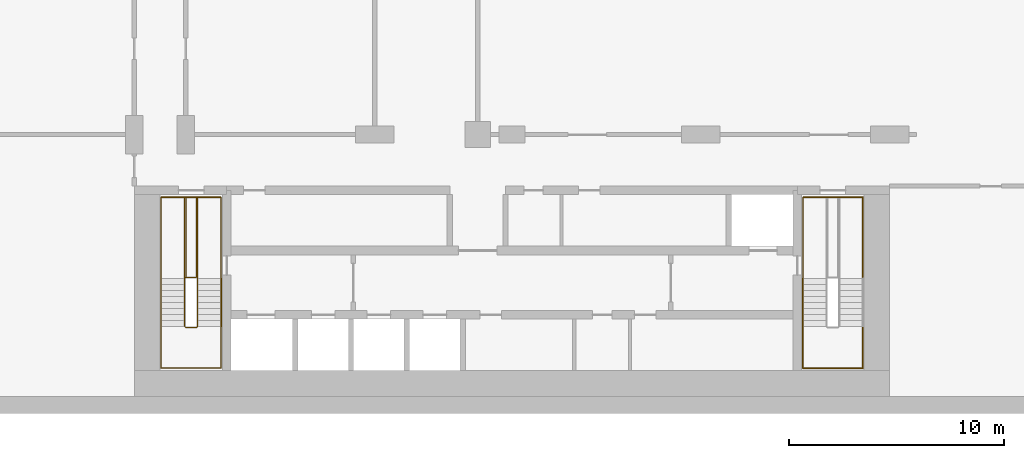
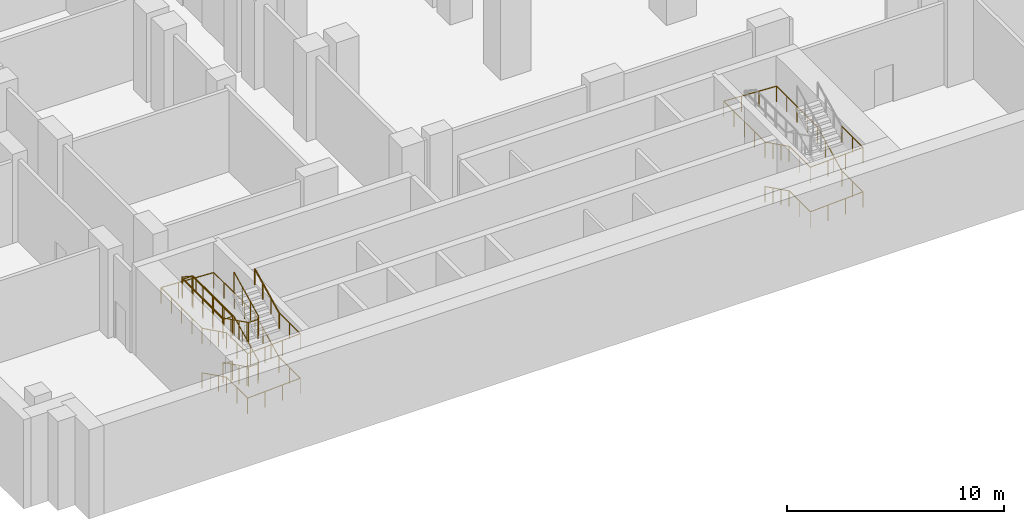
# One storey, part 9 of 12: 6 railings.
"""IFC4 building model written with IfcOpenShell, lengths in metres."""

import ifcopenshell
import ifcopenshell.guid

model = None  # the IFC model being written
_history = None  # IfcOwnerHistory: only IFC2X3 demands one
_inside = {}  # id of a spatial element -> (the spatial element, [elements in it])
_under = {}  # id of a project, library or spatial element -> (it, [spatial elements below it])
_declared = {}  # id of a project -> (the project, [libraries it declares])
_typed = {}  # id of a type object -> (the type object, [elements of that type])
_made_of = {}  # id of a material, layer set ... -> (it, [elements and type objects made of it])


def new_model(schema):
    """Start an empty IFC model of exactly this schema.

    Asked for "IFC4X3", IfcOpenShell would pick the latest addendum, in which some entities
    have other attributes; the version numbers below select the first issue.
    IFC2X3 requires an IfcOwnerHistory on every rooted entity: one is made here for all.
    """
    global model, _history
    if schema == "IFC4X3":
        model = ifcopenshell.file(schema_version=(4, 3, 0, 0))
    else:
        model = ifcopenshell.file(schema=schema)
    _inside.clear()
    _under.clear()
    _declared.clear()
    _typed.clear()
    _made_of.clear()
    _history = None
    if model.schema == "IFC2X3":
        org = make("IfcOrganization", Name="unknown")
        user = make(
            "IfcPersonAndOrganization",
            ThePerson=make("IfcPerson", FamilyName="unknown"),
            TheOrganization=org,
        )
        app = make(
            "IfcApplication",
            ApplicationDeveloper=org,
            Version="unknown",
            ApplicationFullName="unknown",
            ApplicationIdentifier="unknown",
        )
        _history = make(
            "IfcOwnerHistory",
            OwningUser=user,
            OwningApplication=app,
            ChangeAction="ADDED",
            CreationDate=0,
        )
    return model


def make(cls, **values):
    """One entity of the class cls with the attributes given. An attribute that is None is left unset."""
    return model.create_entity(
        cls, **{name: value for name, value in values.items() if value is not None}
    )


def rooted(cls, **values):
    """An entity with a GlobalId (a new one), such as an element, a storey or a relation."""
    return make(cls, GlobalId=ifcopenshell.guid.new(), OwnerHistory=_history, **values)


def si_unit(unit_type, name, prefix=None):
    """IfcSIUnit, for example si_unit("LENGTHUNIT", "METRE", prefix="MILLI")."""
    return make("IfcSIUnit", UnitType=unit_type, Prefix=prefix, Name=name)


def assignment(units):
    """IfcUnitAssignment: the units of a project."""
    return None if units is None else make("IfcUnitAssignment", Units=units)


def point(xyz):
    """IfcCartesianPoint."""
    return None if xyz is None else make("IfcCartesianPoint", Coordinates=xyz)


def direction(xyz):
    """IfcDirection."""
    return None if xyz is None else make("IfcDirection", DirectionRatios=xyz)


def frame(location, z_axis=None, x_axis=None):
    """IfcAxis2Placement3D, a coordinate frame: its origin and axes. An axis left out is left unset."""
    return make(
        "IfcAxis2Placement3D",
        Location=point(location),
        Axis=direction(z_axis),
        RefDirection=direction(x_axis),
    )


def frame_2d(location, x_axis=None):
    """IfcAxis2Placement2D, a coordinate frame in the plane: its origin and x axis."""
    return make(
        "IfcAxis2Placement2D", Location=point(location), RefDirection=direction(x_axis)
    )


def origin():
    """The frame at (0, 0, 0) with its axes left unset."""
    return frame((0.0, 0.0, 0.0))


def origin_2d():
    """The frame at (0, 0) in the plane with its x axis left unset."""
    return frame_2d((0.0, 0.0))


def place(relative_to, where):
    """IfcLocalPlacement: puts the frame where relative to a parent placement (None: the world)."""
    return make(
        "IfcLocalPlacement", PlacementRelTo=relative_to, RelativePlacement=where
    )


def context(
    kind, dimensions, precision=None, world=None, true_north=None, identifier=None
):
    """IfcGeometricRepresentationContext, for example the 3D "Model" context."""
    return make(
        "IfcGeometricRepresentationContext",
        ContextIdentifier=identifier,
        ContextType=kind,
        CoordinateSpaceDimension=dimensions,
        Precision=precision,
        WorldCoordinateSystem=world,
        TrueNorth=true_north,
    )


def subcontext(parent, identifier, kind, view, scale=None):
    """IfcGeometricRepresentationSubContext, for example "Body" below "Model"."""
    return make(
        "IfcGeometricRepresentationSubContext",
        ContextIdentifier=identifier,
        ContextType=kind,
        ParentContext=parent,
        TargetScale=scale,
        TargetView=view,
    )


def project(units=None, contexts=None):
    """IfcProject with its units and contexts."""
    return rooted(
        "IfcProject",
        Name="project",
        RepresentationContexts=contexts,
        UnitsInContext=assignment(units),
    )


def spatial(cls, under=None, at=None, **own):
    """A site, building, storey or space (cls), placed at a placement, below another one or the project."""
    s = rooted(cls, ObjectPlacement=at, **own)
    if under is not None:
        _under.setdefault(under.id(), (under, []))[1].append(s)
    return s


def profile(cls, at=None, kind="AREA", **sizes):
    """A parametric profile (cls). Its sizes go by their IFC names, for example OverallWidth=200.0."""
    return make(cls, ProfileType=kind, Position=at, **sizes)


def circle(**sizes):
    """IfcCircleProfileDef."""
    return profile("IfcCircleProfileDef", **sizes)


def extrude(swept, where, along, depth):
    """IfcExtrudedAreaSolid: the profile swept, set in the frame where, extruded along a direction by depth."""
    return make(
        "IfcExtrudedAreaSolid",
        SweptArea=swept,
        Position=where,
        ExtrudedDirection=direction(along),
        Depth=depth,
    )


def shape(context_of_items, identifier, shape_type, items):
    """IfcShapeRepresentation: the items that make up one representation, for example the "Body"."""
    return make(
        "IfcShapeRepresentation",
        ContextOfItems=context_of_items,
        RepresentationIdentifier=identifier,
        RepresentationType=shape_type,
        Items=items,
    )


def material(Name=None, Category=None):
    """IfcMaterial."""
    return make("IfcMaterial", Name=Name, Category=Category)


def made_of(thing, what):
    """Note that an element or type object is made of a material, layer set ...; save() writes the relation."""
    if what is not None:
        _made_of.setdefault(what.id(), (what, []))[1].append(thing)
    return thing


def type_object(cls, material=None, **own):
    """A type object (cls), such as IfcWallType, which elements share."""
    return made_of(rooted(cls, **own), material)


def element(
    cls,
    number,
    at=None,
    inside=None,
    cuts=None,
    type_object=None,
    material=None,
    context=None,
    identifier="Body",
    shape_type=None,
    held_by="IfcProductDefinitionShape",
    body=None,
    shapes=None,
    **own,
):
    """One element of the class cls, such as IfcWall. Its Tag is "e" and its number.

    at: its placement. inside: the storey or other place that contains it. cuts: it is an
    opening in that element (IfcRelVoidsElement). A single representation is given by context,
    identifier, shape_type and body (its items); several are given by shapes. held_by: the class
    of the entity that holds the representations. save() writes the other relations.
    """
    e = rooted(cls, Tag="e%d" % number, ObjectPlacement=at, **own)
    if body is not None:
        shapes = [shape(context, identifier, shape_type, body)]
    if shapes is not None:
        e.Representation = make(held_by, Representations=shapes)
    if inside is not None:
        _inside.setdefault(inside.id(), (inside, []))[1].append(e)
    if cuts is not None:
        rooted(
            "IfcRelVoidsElement", RelatingBuildingElement=cuts, RelatedOpeningElement=e
        )
    if type_object is not None:
        _typed.setdefault(type_object.id(), (type_object, []))[1].append(e)
    return made_of(e, material)


def aggregate(whole, parts):
    """IfcRelAggregates: a whole, such as a stair, and the parts it consists of."""
    return rooted("IfcRelAggregates", RelatingObject=whole, RelatedObjects=parts)


def save(model, path):
    """Write the relations noted so far, then the file.

    IfcRelAggregates (storeys below a building ...), IfcRelContainedInSpatialStructure (elements
    in a storey), IfcRelDefinesByType, IfcRelAssociatesMaterial and IfcRelDeclares: one each for
    every whole, place, type object, material and project.
    """
    for whole, parts in _under.values():
        aggregate(whole, parts)
    for where, things in _inside.values():
        rooted(
            "IfcRelContainedInSpatialStructure",
            RelatedElements=things,
            RelatingStructure=where,
        )
    for kind, things in _typed.values():
        rooted("IfcRelDefinesByType", RelatedObjects=things, RelatingType=kind)
    for what, things in _made_of.values():
        rooted("IfcRelAssociatesMaterial", RelatedObjects=things, RelatingMaterial=what)
    for by, libraries in _declared.values():
        rooted("IfcRelDeclares", RelatingContext=by, RelatedDefinitions=libraries)
    model.write(path)


model = new_model("IFC4")

# Units and contexts
model_context = context("Model", 3, precision=1e-05, world=origin(), true_north=direction((0.0, 1.0)))
body_context = subcontext(model_context, "Body", "Model", "MODEL_VIEW")
ifc_project = project(units=[si_unit("LENGTHUNIT", "METRE"), si_unit("AREAUNIT", "SQUARE_METRE"), si_unit("VOLUMEUNIT", "CUBIC_METRE"), si_unit("PLANEANGLEUNIT", "RADIAN"), si_unit("MASSUNIT", "GRAM", prefix="KILO")], contexts=[model_context])

# Site, building, storey
site_placement = place(None, origin())
site = spatial("IfcSite", under=ifc_project, at=site_placement, CompositionType="ELEMENT")
building_placement = place(site_placement, origin())
building = spatial("IfcBuilding", under=site, at=building_placement, Name="Kemantara Hotel Tower", CompositionType="ELEMENT")
storey_placement = place(building_placement, frame((0.0, 0.0, -12.0)))
storey = spatial("IfcBuildingStorey", under=building, at=storey_placement, Name="B2", CompositionType="ELEMENT", Elevation=-12.0)

# Railings
ifc_material = material(Name="Stainless steel balustrade", Category="steel")
railing_type_1 = type_object("IfcRailingType", Name="Stair guard 1100 mm", PredefinedType="GUARDRAIL", material=ifc_material)
railing_1_placement = place(storey_placement, frame((12.75, 5.5, 5.0)))
element("IfcRailing", 1, at=railing_1_placement, inside=storey, type_object=railing_type_1, Name="B2 ST1 stair guard 1", PredefinedType="GUARDRAIL", context=body_context, shape_type="SweptSolid", body=[
    extrude(circle(Radius=0.02392578125, at=origin_2d()), frame((0.0, 0.0, 1.076171875), z_axis=(0.0, -0.895848192791, -0.444360231651), x_axis=(1.0, 0.0, 0.0)), (0.0, 0.0, 1.0), 2.50048828125),
    extrude(circle(Radius=0.02392578125, at=origin_2d()), frame((0.0, -2.239990234375, -0.03515625), z_axis=(-0.321014310373, -0.321014310373, -0.891010451718), x_axis=(0.707106781187, -0.707106781187, 0.0)), (0.0, 0.0, 1.0), 0.156005859375),
    extrude(circle(Radius=0.02392578125, at=origin_2d()), frame((-0.050048828125, -2.2900390625, -0.173828125), z_axis=(-1.0, 0.0, 0.0), x_axis=(0.0, -1.0, 0.0)), (0.0, 0.0, 1.0), 0.5),
    extrude(circle(Radius=0.02392578125, at=origin_2d()), frame((-0.550048828125, -2.2900390625, -0.173828125), z_axis=(-0.707106781187, 0.707106781187, 0.0), x_axis=(-0.707106781187, -0.707106781187, 0.0)), (0.0, 0.0, 1.0), 0.07080078125),
    extrude(circle(Radius=0.02392578125, at=origin_2d()), frame((-0.60009765625, -2.239990234375, -0.173828125), z_axis=(0.0, 0.895848192791, -0.444360231651), x_axis=(-1.0, 0.0, 0.0)), (0.0, 0.0, 1.0), 2.50048828125),
    extrude(circle(Radius=0.02392578125, at=origin_2d()), frame((-0.60009765625, 0.0, -1.28515625), z_axis=(0.0, 1.0, 0.0), x_axis=(-1.0, 0.0, 0.0)), (0.0, 0.0, 1.0), 3.780029296875),
    extrude(circle(Radius=0.02392578125, at=origin_2d()), frame((-0.60009765625, 3.780029296875, -1.28515625), z_axis=(0.969557479204, 0.0, -0.244863828525), x_axis=(0.0, 1.0, 0.0)), (0.0, 0.0, 1.0), 0.5673828125),
    extrude(circle(Radius=0.02392578125, at=origin_2d()), frame((-0.050048828125, 3.780029296875, -1.423828125), z_axis=(0.0, -1.0, 0.0), x_axis=(1.0, 0.0, 0.0)), (0.0, 0.0, 1.0), 3.72998046875),
    extrude(circle(Radius=0.02392578125, at=origin_2d()), frame((-0.050048828125, 0.050048828125, -1.423828125), z_axis=(-1.0, 0.0, 0.0), x_axis=(0.0, -1.0, 0.0)), (0.0, 0.0, 1.0), 0.5),
    extrude(circle(Radius=0.02392578125, at=origin_2d()), frame((-0.550048828125, 0.050048828125, -1.423828125), z_axis=(0.0, 1.0, 0.0), x_axis=(-1.0, 0.0, 0.0)), (0.0, 0.0, 1.0), 3.72998046875),
    extrude(circle(Radius=0.02392578125, at=origin_2d()), frame((-0.550048828125, 3.780029296875, -1.423828125), z_axis=(1.0, 0.0, 0.0), x_axis=(0.0, 1.0, 0.0)), (0.0, 0.0, 1.0), 0.550048828125),
    extrude(circle(Radius=0.02392578125, at=origin_2d()), frame((0.0, 3.780029296875, -1.423828125), z_axis=(0.0, -1.0, 0.0), x_axis=(1.0, 0.0, 0.0)), (0.0, 0.0, 1.0), 3.780029296875),
    extrude(circle(Radius=0.02392578125, at=origin_2d()), frame((0.0, 0.0, -1.423828125), z_axis=(0.0, -0.895848192791, -0.444360231651), x_axis=(1.0, 0.0, 0.0)), (0.0, 0.0, 1.0), 2.50048828125),
    extrude(circle(Radius=0.02392578125, at=origin_2d()), frame((0.0, -2.239990234375, -2.53515625), z_axis=(-0.321014310373, -0.321014310373, -0.891010451718), x_axis=(0.707106781187, -0.707106781187, 0.0)), (0.0, 0.0, 1.0), 0.156005859375),
    extrude(circle(Radius=0.02392578125, at=origin_2d()), frame((-0.050048828125, -2.2900390625, -2.673828125), z_axis=(-1.0, 0.0, 0.0), x_axis=(0.0, -1.0, 0.0)), (0.0, 0.0, 1.0), 0.5),
    extrude(circle(Radius=0.02392578125, at=origin_2d()), frame((-0.550048828125, -2.2900390625, -2.673828125), z_axis=(-0.707106781187, 0.707106781187, 0.0), x_axis=(-0.707106781187, -0.707106781187, 0.0)), (0.0, 0.0, 1.0), 0.07080078125),
    extrude(circle(Radius=0.02392578125, at=origin_2d()), frame((-0.60009765625, -2.239990234375, -2.673828125), z_axis=(0.0, 0.895848192791, -0.444360231651), x_axis=(-1.0, 0.0, 0.0)), (0.0, 0.0, 1.0), 2.50048828125),
    extrude(circle(Radius=0.02392578125, at=origin_2d()), frame((-0.60009765625, 0.0, -3.78515625), z_axis=(0.321014310373, 0.321014310373, -0.891010451718), x_axis=(-0.707106781187, 0.707106781187, 0.0)), (0.0, 0.0, 1.0), 0.156005859375),
    extrude(circle(Radius=0.02392578125, at=origin_2d()), frame((-0.550048828125, 0.050048828125, -3.923828125), z_axis=(1.0, 0.0, 0.0), x_axis=(0.0, 1.0, 0.0)), (0.0, 0.0, 1.0), 0.5),
    extrude(circle(Radius=0.02099609375, at=origin_2d()), origin(), (0.0, 0.0, 1.0), 1.052001953125),
    extrude(circle(Radius=0.02099609375, at=origin_2d()), frame((0.0, -0.74658203125, -0.370361328125)), (0.0, 0.0, 1.0), 1.052001953125),
    extrude(circle(Radius=0.02099609375, at=origin_2d()), frame((0.0, -1.493408203125, -0.74072265625)), (0.0, 0.0, 1.0), 1.052001953125),
    extrude(circle(Radius=0.02099609375, at=origin_2d()), frame((0.0, -2.239990234375, -1.111083984375)), (0.0, 0.0, 1.0), 1.052001953125),
    extrude(circle(Radius=0.02099609375, at=origin_2d()), frame((-0.050048828125, -2.2900390625, -1.25)), (0.0, 0.0, 1.0), 1.052001953125),
    extrude(circle(Radius=0.02099609375, at=origin_2d()), frame((-0.550048828125, -2.2900390625, -1.25)), (0.0, 0.0, 1.0), 1.052001953125),
    extrude(circle(Radius=0.02099609375, at=origin_2d()), frame((-0.60009765625, -2.239990234375, -1.25)), (0.0, 0.0, 1.0), 1.052001953125),
    extrude(circle(Radius=0.02099609375, at=origin_2d()), frame((-0.60009765625, -1.493408203125, -1.620361328125)), (0.0, 0.0, 1.0), 1.052001953125),
    extrude(circle(Radius=0.02099609375, at=origin_2d()), frame((-0.60009765625, -0.74658203125, -1.99072265625)), (0.0, 0.0, 1.0), 1.052001953125),
    extrude(circle(Radius=0.02099609375, at=origin_2d()), frame((-0.60009765625, 0.0, -2.361083984375)), (0.0, 0.0, 1.0), 1.052001953125),
    extrude(circle(Radius=0.02099609375, at=origin_2d()), frame((-0.60009765625, 0.945068359375, -2.361083984375)), (0.0, 0.0, 1.0), 1.052001953125),
    extrude(circle(Radius=0.02099609375, at=origin_2d()), frame((-0.60009765625, 1.89013671875, -2.361083984375)), (0.0, 0.0, 1.0), 1.052001953125),
    extrude(circle(Radius=0.02099609375, at=origin_2d()), frame((-0.60009765625, 2.8349609375, -2.361083984375)), (0.0, 0.0, 1.0), 1.052001953125),
    extrude(circle(Radius=0.02099609375, at=origin_2d()), frame((-0.60009765625, 3.780029296875, -2.361083984375)), (0.0, 0.0, 1.0), 1.052001953125),
    extrude(circle(Radius=0.02099609375, at=origin_2d()), frame((-0.050048828125, 3.780029296875, -2.5)), (0.0, 0.0, 1.0), 1.052001953125),
    extrude(circle(Radius=0.02099609375, at=origin_2d()), frame((-0.050048828125, 2.84765625, -2.5)), (0.0, 0.0, 1.0), 1.052001953125),
    extrude(circle(Radius=0.02099609375, at=origin_2d()), frame((-0.050048828125, 1.9150390625, -2.5)), (0.0, 0.0, 1.0), 1.052001953125),
    extrude(circle(Radius=0.02099609375, at=origin_2d()), frame((-0.050048828125, 0.982421875, -2.5)), (0.0, 0.0, 1.0), 1.052001953125),
    extrude(circle(Radius=0.02099609375, at=origin_2d()), frame((-0.050048828125, 0.050048828125, -2.5)), (0.0, 0.0, 1.0), 1.052001953125),
    extrude(circle(Radius=0.02099609375, at=origin_2d()), frame((-0.550048828125, 0.050048828125, -2.5)), (0.0, 0.0, 1.0), 1.052001953125),
    extrude(circle(Radius=0.02099609375, at=origin_2d()), frame((-0.550048828125, 0.982421875, -2.5)), (0.0, 0.0, 1.0), 1.052001953125),
    extrude(circle(Radius=0.02099609375, at=origin_2d()), frame((-0.550048828125, 1.9150390625, -2.5)), (0.0, 0.0, 1.0), 1.052001953125),
    extrude(circle(Radius=0.02099609375, at=origin_2d()), frame((-0.550048828125, 2.84765625, -2.5)), (0.0, 0.0, 1.0), 1.052001953125),
    extrude(circle(Radius=0.02099609375, at=origin_2d()), frame((-0.550048828125, 3.780029296875, -2.5)), (0.0, 0.0, 1.0), 1.052001953125),
    extrude(circle(Radius=0.02099609375, at=origin_2d()), frame((0.0, 3.780029296875, -2.5)), (0.0, 0.0, 1.0), 1.052001953125),
    extrude(circle(Radius=0.02099609375, at=origin_2d()), frame((0.0, 2.8349609375, -2.5)), (0.0, 0.0, 1.0), 1.052001953125),
    extrude(circle(Radius=0.02099609375, at=origin_2d()), frame((0.0, 1.89013671875, -2.5)), (0.0, 0.0, 1.0), 1.052001953125),
    extrude(circle(Radius=0.02099609375, at=origin_2d()), frame((0.0, 0.945068359375, -2.5)), (0.0, 0.0, 1.0), 1.052001953125),
    extrude(circle(Radius=0.02099609375, at=origin_2d()), frame((0.0, 0.0, -2.5)), (0.0, 0.0, 1.0), 1.052001953125),
    extrude(circle(Radius=0.02099609375, at=origin_2d()), frame((0.0, -0.74658203125, -2.870361328125)), (0.0, 0.0, 1.0), 1.052001953125),
    extrude(circle(Radius=0.02099609375, at=origin_2d()), frame((0.0, -1.493408203125, -3.24072265625)), (0.0, 0.0, 1.0), 1.052001953125),
    extrude(circle(Radius=0.02099609375, at=origin_2d()), frame((0.0, -2.239990234375, -3.611083984375)), (0.0, 0.0, 1.0), 1.052001953125),
    extrude(circle(Radius=0.02099609375, at=origin_2d()), frame((-0.050048828125, -2.2900390625, -3.75)), (0.0, 0.0, 1.0), 1.052001953125),
    extrude(circle(Radius=0.02099609375, at=origin_2d()), frame((-0.550048828125, -2.2900390625, -3.75)), (0.0, 0.0, 1.0), 1.052001953125),
    extrude(circle(Radius=0.02099609375, at=origin_2d()), frame((-0.60009765625, -2.239990234375, -3.75)), (0.0, 0.0, 1.0), 1.052001953125),
    extrude(circle(Radius=0.02099609375, at=origin_2d()), frame((-0.60009765625, -1.493408203125, -4.120361328125)), (0.0, 0.0, 1.0), 1.052001953125),
    extrude(circle(Radius=0.02099609375, at=origin_2d()), frame((-0.60009765625, -0.74658203125, -4.49072265625)), (0.0, 0.0, 1.0), 1.052001953125),
    extrude(circle(Radius=0.02099609375, at=origin_2d()), frame((-0.60009765625, 0.0, -4.861083984375)), (0.0, 0.0, 1.0), 1.052001953125),
    extrude(circle(Radius=0.02099609375, at=origin_2d()), frame((-0.550048828125, 0.050048828125, -5.0)), (0.0, 0.0, 1.0), 1.052001953125),
    extrude(circle(Radius=0.02099609375, at=origin_2d()), frame((-0.050048828125, 0.050048828125, -5.0)), (0.0, 0.0, 1.0), 1.052001953125),
])
railing_type_2 = type_object("IfcRailingType", Name="Stair handrail 900 mm", PredefinedType="HANDRAIL", material=ifc_material)
railing_2_placement = place(storey_placement, frame((11.050048828125, 5.5, 0.138916015625)))
element("IfcRailing", 2, at=railing_2_placement, inside=storey, type_object=railing_type_2, Name="B2 ST1 stair handrail 1", PredefinedType="HANDRAIL", context=body_context, shape_type="SweptSolid", body=[
    extrude(circle(Radius=0.02392578125, at=origin_2d()), frame((0.0, 0.0, 0.8759765625), z_axis=(0.0, -0.895848192791, 0.444360231651), x_axis=(1.0, 0.0, 0.0)), (0.0, 0.0, 1.0), 2.50048828125),
    extrude(circle(Radius=0.02392578125, at=origin_2d()), frame((0.0, -2.239990234375, 1.98681640625), z_axis=(0.0, -1.0, 0.0), x_axis=(1.0, 0.0, 0.0)), (0.0, 0.0, 1.0), 1.93994140625),
    extrude(circle(Radius=0.02392578125, at=origin_2d()), frame((0.0, -4.179931640625, 1.98681640625), z_axis=(0.998771592041, 0.0, 0.049551053786), x_axis=(0.0, 1.0, 0.0)), (0.0, 0.0, 1.0), 2.803466796875),
    extrude(circle(Radius=0.02392578125, at=origin_2d()), frame((2.800048828125, -4.179931640625, 2.1259765625), z_axis=(0.0, 1.0, 0.0), x_axis=(-1.0, 0.0, 0.0)), (0.0, 0.0, 1.0), 1.93994140625),
    extrude(circle(Radius=0.02392578125, at=origin_2d()), frame((2.800048828125, -2.239990234375, 2.1259765625), z_axis=(0.0, 0.895848192791, 0.444360231651), x_axis=(-1.0, 0.0, 0.0)), (0.0, 0.0, 1.0), 2.50048828125),
    extrude(circle(Radius=0.02099609375, at=origin_2d()), origin(), (0.0, 0.0, 1.0), 0.851806640625),
    extrude(circle(Radius=0.02099609375, at=origin_2d()), frame((0.0, -0.74658203125, 0.370361328125)), (0.0, 0.0, 1.0), 0.851806640625),
    extrude(circle(Radius=0.02099609375, at=origin_2d()), frame((0.0, -1.493408203125, 0.74072265625)), (0.0, 0.0, 1.0), 0.851806640625),
    extrude(circle(Radius=0.02099609375, at=origin_2d()), frame((0.0, -2.239990234375, 1.111083984375)), (0.0, 0.0, 1.0), 0.851806640625),
    extrude(circle(Radius=0.02099609375, at=origin_2d()), frame((0.0, -3.2099609375, 1.111083984375)), (0.0, 0.0, 1.0), 0.851806640625),
    extrude(circle(Radius=0.02099609375, at=origin_2d()), frame((0.0, -4.179931640625, 1.111083984375)), (0.0, 0.0, 1.0), 0.851806640625),
    extrude(circle(Radius=0.02099609375, at=origin_2d()), frame((0.933349609375, -4.179931640625, 1.157470703125)), (0.0, 0.0, 1.0), 0.851806640625),
    extrude(circle(Radius=0.02099609375, at=origin_2d()), frame((1.86669921875, -4.179931640625, 1.20361328125)), (0.0, 0.0, 1.0), 0.851806640625),
    extrude(circle(Radius=0.02099609375, at=origin_2d()), frame((2.800048828125, -4.179931640625, 1.25)), (0.0, 0.0, 1.0), 0.851806640625),
    extrude(circle(Radius=0.02099609375, at=origin_2d()), frame((2.800048828125, -3.2099609375, 1.25)), (0.0, 0.0, 1.0), 0.851806640625),
    extrude(circle(Radius=0.02099609375, at=origin_2d()), frame((2.800048828125, -2.239990234375, 1.25)), (0.0, 0.0, 1.0), 0.851806640625),
    extrude(circle(Radius=0.02099609375, at=origin_2d()), frame((2.800048828125, -1.493408203125, 1.620361328125)), (0.0, 0.0, 1.0), 0.851806640625),
    extrude(circle(Radius=0.02099609375, at=origin_2d()), frame((2.800048828125, -0.74658203125, 1.99072265625)), (0.0, 0.0, 1.0), 0.851806640625),
    extrude(circle(Radius=0.02099609375, at=origin_2d()), frame((2.800048828125, 0.0, 2.361083984375)), (0.0, 0.0, 1.0), 0.851806640625),
])
railing_3_placement = place(storey_placement, frame((13.85009765625, 5.5, 2.5)))
element("IfcRailing", 3, at=railing_3_placement, inside=storey, type_object=railing_type_2, Name="B2 ST1 stair handrail 2", PredefinedType="HANDRAIL", context=body_context, shape_type="SweptSolid", body=[
    extrude(circle(Radius=0.02392578125, at=origin_2d()), frame((0.0, 0.0, 0.8759765625), z_axis=(0.0, 1.0, 0.0), x_axis=(-1.0, 0.0, 0.0)), (0.0, 0.0, 1.0), 3.780029296875),
    extrude(circle(Radius=0.02392578125, at=origin_2d()), frame((0.0, 3.780029296875, 0.8759765625), z_axis=(-0.998771592041, 0.0, 0.049551053786), x_axis=(0.0, -1.0, 0.0)), (0.0, 0.0, 1.0), 2.803466796875),
    extrude(circle(Radius=0.02392578125, at=origin_2d()), frame((-2.800048828125, 3.780029296875, 1.0146484375), z_axis=(0.0, -1.0, 0.0), x_axis=(1.0, 0.0, 0.0)), (0.0, 0.0, 1.0), 3.780029296875),
    extrude(circle(Radius=0.02392578125, at=origin_2d()), frame((-2.800048828125, 0.0, 1.0146484375), z_axis=(0.0, -0.895848192791, 0.444360231651), x_axis=(1.0, 0.0, 0.0)), (0.0, 0.0, 1.0), 2.50048828125),
    extrude(circle(Radius=0.02392578125, at=origin_2d()), frame((-2.800048828125, -2.239990234375, 2.1259765625), z_axis=(0.0, -1.0, 0.0), x_axis=(1.0, 0.0, 0.0)), (0.0, 0.0, 1.0), 1.93994140625),
    extrude(circle(Radius=0.02392578125, at=origin_2d()), frame((-2.800048828125, -4.179931640625, 2.1259765625), z_axis=(0.998771592041, 0.0, 0.049551053786), x_axis=(0.0, 1.0, 0.0)), (0.0, 0.0, 1.0), 2.803466796875),
    extrude(circle(Radius=0.02392578125, at=origin_2d()), frame((0.0, -4.179931640625, 2.2646484375), z_axis=(0.0, 1.0, 0.0), x_axis=(-1.0, 0.0, 0.0)), (0.0, 0.0, 1.0), 1.93994140625),
    extrude(circle(Radius=0.02099609375, at=origin_2d()), origin(), (0.0, 0.0, 1.0), 0.851806640625),
    extrude(circle(Radius=0.02099609375, at=origin_2d()), frame((0.0, 0.945068359375, 0.0)), (0.0, 0.0, 1.0), 0.851806640625),
    extrude(circle(Radius=0.02099609375, at=origin_2d()), frame((0.0, 1.89013671875, 0.0)), (0.0, 0.0, 1.0), 0.851806640625),
    extrude(circle(Radius=0.02099609375, at=origin_2d()), frame((0.0, 2.8349609375, 0.0)), (0.0, 0.0, 1.0), 0.851806640625),
    extrude(circle(Radius=0.02099609375, at=origin_2d()), frame((0.0, 3.780029296875, 0.0)), (0.0, 0.0, 1.0), 0.851806640625),
    extrude(circle(Radius=0.02099609375, at=origin_2d()), frame((-0.933349609375, 3.780029296875, 0.04638671875)), (0.0, 0.0, 1.0), 0.851806640625),
    extrude(circle(Radius=0.02099609375, at=origin_2d()), frame((-1.86669921875, 3.780029296875, 0.092529296875)), (0.0, 0.0, 1.0), 0.851806640625),
    extrude(circle(Radius=0.02099609375, at=origin_2d()), frame((-2.800048828125, 3.780029296875, 0.138916015625)), (0.0, 0.0, 1.0), 0.851806640625),
    extrude(circle(Radius=0.02099609375, at=origin_2d()), frame((-2.800048828125, 2.8349609375, 0.138916015625)), (0.0, 0.0, 1.0), 0.851806640625),
    extrude(circle(Radius=0.02099609375, at=origin_2d()), frame((-2.800048828125, 1.89013671875, 0.138916015625)), (0.0, 0.0, 1.0), 0.851806640625),
    extrude(circle(Radius=0.02099609375, at=origin_2d()), frame((-2.800048828125, 0.945068359375, 0.138916015625)), (0.0, 0.0, 1.0), 0.851806640625),
    extrude(circle(Radius=0.02099609375, at=origin_2d()), frame((-2.800048828125, 0.0, 0.138916015625)), (0.0, 0.0, 1.0), 0.851806640625),
    extrude(circle(Radius=0.02099609375, at=origin_2d()), frame((-2.800048828125, -0.74658203125, 0.50927734375)), (0.0, 0.0, 1.0), 0.851806640625),
    extrude(circle(Radius=0.02099609375, at=origin_2d()), frame((-2.800048828125, -1.493408203125, 0.879638671875)), (0.0, 0.0, 1.0), 0.851806640625),
    extrude(circle(Radius=0.02099609375, at=origin_2d()), frame((-2.800048828125, -2.239990234375, 1.25)), (0.0, 0.0, 1.0), 0.851806640625),
    extrude(circle(Radius=0.02099609375, at=origin_2d()), frame((-2.800048828125, -3.2099609375, 1.25)), (0.0, 0.0, 1.0), 0.851806640625),
    extrude(circle(Radius=0.02099609375, at=origin_2d()), frame((-2.800048828125, -4.179931640625, 1.25)), (0.0, 0.0, 1.0), 0.851806640625),
    extrude(circle(Radius=0.02099609375, at=origin_2d()), frame((-1.86669921875, -4.179931640625, 1.29638671875)), (0.0, 0.0, 1.0), 0.851806640625),
    extrude(circle(Radius=0.02099609375, at=origin_2d()), frame((-0.933349609375, -4.179931640625, 1.342529296875)), (0.0, 0.0, 1.0), 0.851806640625),
    extrude(circle(Radius=0.02099609375, at=origin_2d()), frame((0.0, -4.179931640625, 1.388916015625)), (0.0, 0.0, 1.0), 0.851806640625),
    extrude(circle(Radius=0.02099609375, at=origin_2d()), frame((0.0, -3.2099609375, 1.388916015625)), (0.0, 0.0, 1.0), 0.851806640625),
    extrude(circle(Radius=0.02099609375, at=origin_2d()), frame((0.0, -2.239990234375, 1.388916015625)), (0.0, 0.0, 1.0), 0.851806640625),
])
railing_4_placement = place(storey_placement, frame((13.85009765625, 3.260009765625, 3.888916015625)))
element("IfcRailing", 4, at=railing_4_placement, inside=storey, type_object=railing_type_2, Name="B2 ST1 stair handrail 3", PredefinedType="HANDRAIL", context=body_context, shape_type="SweptSolid", body=[
    extrude(circle(Radius=0.02392578125, at=origin_2d()), frame((0.0, 0.0, 0.8759765625), z_axis=(0.0, 0.895848192791, 0.444360231651), x_axis=(-1.0, 0.0, 0.0)), (0.0, 0.0, 1.0), 2.50048828125),
    extrude(circle(Radius=0.02099609375, at=origin_2d()), origin(), (0.0, 0.0, 1.0), 0.851806640625),
    extrude(circle(Radius=0.02099609375, at=origin_2d()), frame((0.0, 0.74658203125, 0.370361328125)), (0.0, 0.0, 1.0), 0.851806640625),
    extrude(circle(Radius=0.02099609375, at=origin_2d()), frame((0.0, 1.493408203125, 0.74072265625)), (0.0, 0.0, 1.0), 0.851806640625),
    extrude(circle(Radius=0.02099609375, at=origin_2d()), frame((0.0, 2.239990234375, 1.111083984375)), (0.0, 0.0, 1.0), 0.851806640625),
])
railing_5_placement = place(storey_placement, frame((40.949951171875, 5.5, 0.138916015625)))
element("IfcRailing", 5, at=railing_5_placement, inside=storey, type_object=railing_type_2, Name="B2 ST2 stair handrail 1", PredefinedType="HANDRAIL", context=body_context, shape_type="SweptSolid", body=[
    extrude(circle(Radius=0.02392578125, at=origin_2d()), frame((0.0, 0.0, 0.8759765625), z_axis=(0.0, -0.895848192791, 0.444360231651), x_axis=(1.0, 0.0, 0.0)), (0.0, 0.0, 1.0), 2.50048828125),
    extrude(circle(Radius=0.02392578125, at=origin_2d()), frame((0.0, -2.239990234375, 1.98681640625), z_axis=(0.0, -1.0, 0.0), x_axis=(1.0, 0.0, 0.0)), (0.0, 0.0, 1.0), 1.93994140625),
    extrude(circle(Radius=0.02392578125, at=origin_2d()), frame((0.0, -4.179931640625, 1.98681640625), z_axis=(0.998771592041, 0.0, 0.049551053786), x_axis=(0.0, 1.0, 0.0)), (0.0, 0.0, 1.0), 2.803466796875),
    extrude(circle(Radius=0.02392578125, at=origin_2d()), frame((2.800048828125, -4.179931640625, 2.1259765625), z_axis=(0.0, 1.0, 0.0), x_axis=(-1.0, 0.0, 0.0)), (0.0, 0.0, 1.0), 1.93994140625),
    extrude(circle(Radius=0.02392578125, at=origin_2d()), frame((2.800048828125, -2.239990234375, 2.1259765625), z_axis=(0.0, 0.895848192791, 0.444360231651), x_axis=(-1.0, 0.0, 0.0)), (0.0, 0.0, 1.0), 2.50048828125),
    extrude(circle(Radius=0.02392578125, at=origin_2d()), frame((2.800048828125, 0.0, 3.23681640625), z_axis=(0.0, 1.0, 0.0), x_axis=(-1.0, 0.0, 0.0)), (0.0, 0.0, 1.0), 3.780029296875),
    extrude(circle(Radius=0.02099609375, at=origin_2d()), origin(), (0.0, 0.0, 1.0), 0.851806640625),
    extrude(circle(Radius=0.02099609375, at=origin_2d()), frame((0.0, -0.74658203125, 0.370361328125)), (0.0, 0.0, 1.0), 0.851806640625),
    extrude(circle(Radius=0.02099609375, at=origin_2d()), frame((0.0, -1.493408203125, 0.74072265625)), (0.0, 0.0, 1.0), 0.851806640625),
    extrude(circle(Radius=0.02099609375, at=origin_2d()), frame((0.0, -2.239990234375, 1.111083984375)), (0.0, 0.0, 1.0), 0.851806640625),
    extrude(circle(Radius=0.02099609375, at=origin_2d()), frame((0.0, -3.2099609375, 1.111083984375)), (0.0, 0.0, 1.0), 0.851806640625),
    extrude(circle(Radius=0.02099609375, at=origin_2d()), frame((0.0, -4.179931640625, 1.111083984375)), (0.0, 0.0, 1.0), 0.851806640625),
    extrude(circle(Radius=0.02099609375, at=origin_2d()), frame((0.933349609375, -4.179931640625, 1.157470703125)), (0.0, 0.0, 1.0), 0.851806640625),
    extrude(circle(Radius=0.02099609375, at=origin_2d()), frame((1.86669921875, -4.179931640625, 1.20361328125)), (0.0, 0.0, 1.0), 0.851806640625),
    extrude(circle(Radius=0.02099609375, at=origin_2d()), frame((2.800048828125, -4.179931640625, 1.25)), (0.0, 0.0, 1.0), 0.851806640625),
    extrude(circle(Radius=0.02099609375, at=origin_2d()), frame((2.800048828125, -3.2099609375, 1.25)), (0.0, 0.0, 1.0), 0.851806640625),
    extrude(circle(Radius=0.02099609375, at=origin_2d()), frame((2.800048828125, -2.239990234375, 1.25)), (0.0, 0.0, 1.0), 0.851806640625),
    extrude(circle(Radius=0.02099609375, at=origin_2d()), frame((2.800048828125, -1.493408203125, 1.620361328125)), (0.0, 0.0, 1.0), 0.851806640625),
    extrude(circle(Radius=0.02099609375, at=origin_2d()), frame((2.800048828125, -0.74658203125, 1.99072265625)), (0.0, 0.0, 1.0), 0.851806640625),
    extrude(circle(Radius=0.02099609375, at=origin_2d()), frame((2.800048828125, 0.0, 2.361083984375)), (0.0, 0.0, 1.0), 0.851806640625),
    extrude(circle(Radius=0.02099609375, at=origin_2d()), frame((2.800048828125, 0.945068359375, 2.361083984375)), (0.0, 0.0, 1.0), 0.851806640625),
    extrude(circle(Radius=0.02099609375, at=origin_2d()), frame((2.800048828125, 1.89013671875, 2.361083984375)), (0.0, 0.0, 1.0), 0.851806640625),
    extrude(circle(Radius=0.02099609375, at=origin_2d()), frame((2.800048828125, 2.8349609375, 2.361083984375)), (0.0, 0.0, 1.0), 0.851806640625),
    extrude(circle(Radius=0.02099609375, at=origin_2d()), frame((2.800048828125, 3.780029296875, 2.361083984375)), (0.0, 0.0, 1.0), 0.851806640625),
])
railing_6_placement = place(storey_placement, frame((43.75, 9.280029296875, 2.5)))
element("IfcRailing", 6, at=railing_6_placement, inside=storey, type_object=railing_type_2, Name="B2 ST2 stair handrail 2", PredefinedType="HANDRAIL", context=body_context, shape_type="SweptSolid", body=[
    extrude(circle(Radius=0.02392578125, at=origin_2d()), frame((0.0, 0.0, 0.8759765625), z_axis=(-0.998771592041, 0.0, 0.049551053786), x_axis=(0.0, -1.0, 0.0)), (0.0, 0.0, 1.0), 2.803466796875),
    extrude(circle(Radius=0.02392578125, at=origin_2d()), frame((-2.800048828125, 0.0, 1.0146484375), z_axis=(0.0, -1.0, 0.0), x_axis=(1.0, 0.0, 0.0)), (0.0, 0.0, 1.0), 3.780029296875),
    extrude(circle(Radius=0.02392578125, at=origin_2d()), frame((-2.800048828125, -3.780029296875, 1.0146484375), z_axis=(0.0, -0.895848192791, 0.444360231651), x_axis=(1.0, 0.0, 0.0)), (0.0, 0.0, 1.0), 2.50048828125),
    extrude(circle(Radius=0.02392578125, at=origin_2d()), frame((-2.800048828125, -6.02001953125, 2.1259765625), z_axis=(0.0, -1.0, 0.0), x_axis=(1.0, 0.0, 0.0)), (0.0, 0.0, 1.0), 1.93994140625),
    extrude(circle(Radius=0.02392578125, at=origin_2d()), frame((-2.800048828125, -7.9599609375, 2.1259765625), z_axis=(0.998771592041, 0.0, 0.049551053786), x_axis=(0.0, 1.0, 0.0)), (0.0, 0.0, 1.0), 2.803466796875),
    extrude(circle(Radius=0.02392578125, at=origin_2d()), frame((0.0, -7.9599609375, 2.2646484375), z_axis=(0.0, 1.0, 0.0), x_axis=(-1.0, 0.0, 0.0)), (0.0, 0.0, 1.0), 1.93994140625),
    extrude(circle(Radius=0.02099609375, at=origin_2d()), origin(), (0.0, 0.0, 1.0), 0.851806640625),
    extrude(circle(Radius=0.02099609375, at=origin_2d()), frame((-0.933349609375, 0.0, 0.04638671875)), (0.0, 0.0, 1.0), 0.851806640625),
    extrude(circle(Radius=0.02099609375, at=origin_2d()), frame((-1.86669921875, 0.0, 0.092529296875)), (0.0, 0.0, 1.0), 0.851806640625),
    extrude(circle(Radius=0.02099609375, at=origin_2d()), frame((-2.800048828125, 0.0, 0.138916015625)), (0.0, 0.0, 1.0), 0.851806640625),
    extrude(circle(Radius=0.02099609375, at=origin_2d()), frame((-2.800048828125, -0.945068359375, 0.138916015625)), (0.0, 0.0, 1.0), 0.851806640625),
    extrude(circle(Radius=0.02099609375, at=origin_2d()), frame((-2.800048828125, -1.89013671875, 0.138916015625)), (0.0, 0.0, 1.0), 0.851806640625),
    extrude(circle(Radius=0.02099609375, at=origin_2d()), frame((-2.800048828125, -2.8349609375, 0.138916015625)), (0.0, 0.0, 1.0), 0.851806640625),
    extrude(circle(Radius=0.02099609375, at=origin_2d()), frame((-2.800048828125, -3.780029296875, 0.138916015625)), (0.0, 0.0, 1.0), 0.851806640625),
    extrude(circle(Radius=0.02099609375, at=origin_2d()), frame((-2.800048828125, -4.526611328125, 0.50927734375)), (0.0, 0.0, 1.0), 0.851806640625),
    extrude(circle(Radius=0.02099609375, at=origin_2d()), frame((-2.800048828125, -5.2734375, 0.879638671875)), (0.0, 0.0, 1.0), 0.851806640625),
    extrude(circle(Radius=0.02099609375, at=origin_2d()), frame((-2.800048828125, -6.02001953125, 1.25)), (0.0, 0.0, 1.0), 0.851806640625),
    extrude(circle(Radius=0.02099609375, at=origin_2d()), frame((-2.800048828125, -6.989990234375, 1.25)), (0.0, 0.0, 1.0), 0.851806640625),
    extrude(circle(Radius=0.02099609375, at=origin_2d()), frame((-2.800048828125, -7.9599609375, 1.25)), (0.0, 0.0, 1.0), 0.851806640625),
    extrude(circle(Radius=0.02099609375, at=origin_2d()), frame((-1.86669921875, -7.9599609375, 1.29638671875)), (0.0, 0.0, 1.0), 0.851806640625),
    extrude(circle(Radius=0.02099609375, at=origin_2d()), frame((-0.933349609375, -7.9599609375, 1.342529296875)), (0.0, 0.0, 1.0), 0.851806640625),
    extrude(circle(Radius=0.02099609375, at=origin_2d()), frame((0.0, -7.9599609375, 1.388916015625)), (0.0, 0.0, 1.0), 0.851806640625),
    extrude(circle(Radius=0.02099609375, at=origin_2d()), frame((0.0, -6.989990234375, 1.388916015625)), (0.0, 0.0, 1.0), 0.851806640625),
    extrude(circle(Radius=0.02099609375, at=origin_2d()), frame((0.0, -6.02001953125, 1.388916015625)), (0.0, 0.0, 1.0), 0.851806640625),
])

save(model, "model.ifc")
